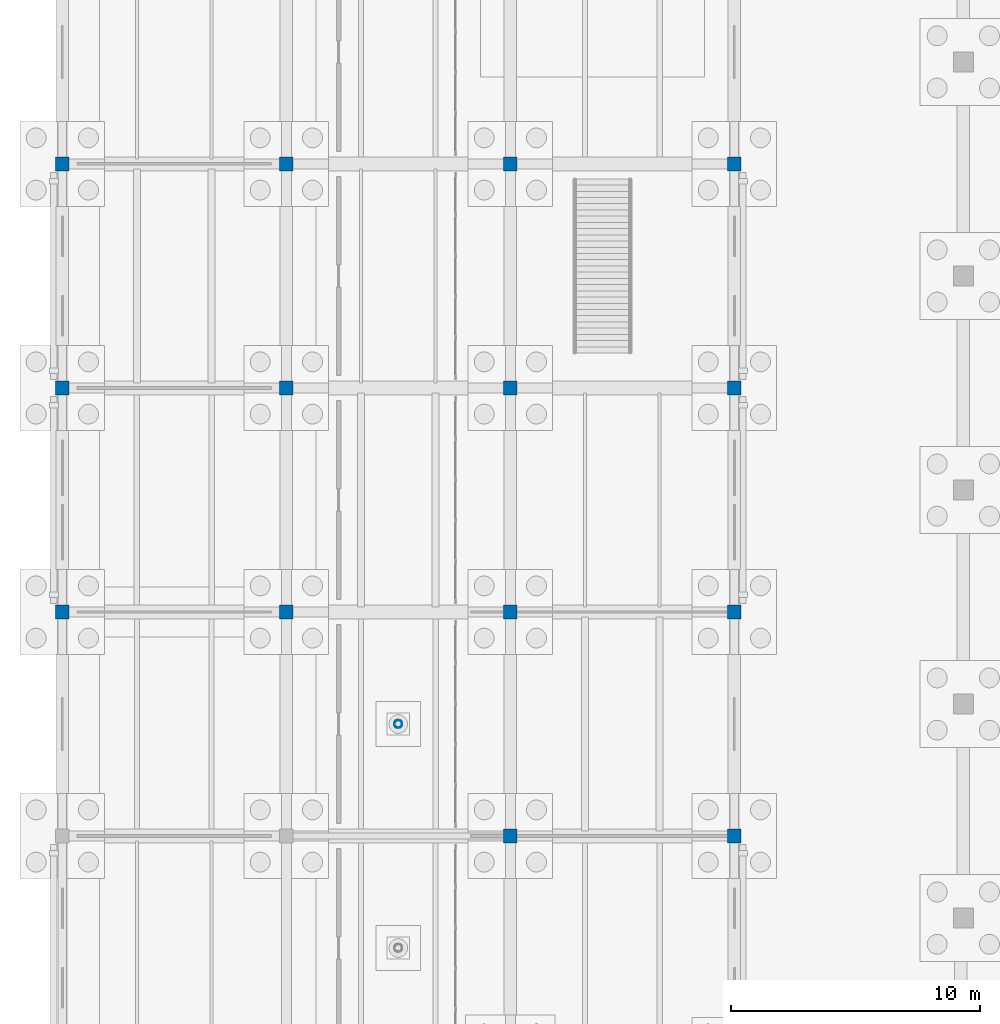
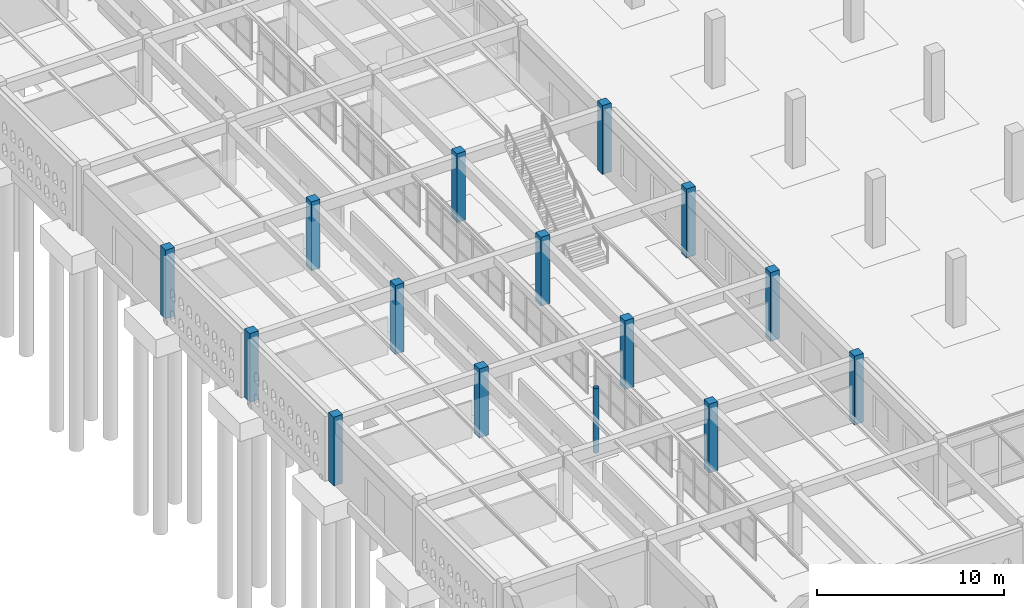
# One storey, part 9 of 186: 15 columns.
"""IFC4 building model written with IfcOpenShell, lengths in metres."""

from ifc_helpers import new_model, si_unit, direction, frame, origin, origin_2d, place, context, subcontext, project, spatial, rectangle, hollow_circle, extrude, material, material_profile, profile_set, type_object, element, save


model = new_model("IFC4")

# Units and contexts
model_context = context("Model", 3, precision=1e-05, world=origin(), true_north=direction((0.0, 1.0)))
body_context = subcontext(model_context, "Body", "Model", "MODEL_VIEW")
ifc_project = project(units=[si_unit("LENGTHUNIT", "METRE"), si_unit("AREAUNIT", "SQUARE_METRE"), si_unit("VOLUMEUNIT", "CUBIC_METRE"), si_unit("PLANEANGLEUNIT", "RADIAN"), si_unit("MASSUNIT", "GRAM", prefix="KILO")], contexts=[model_context])

# Site, building, storey
site_placement = place(None, origin())
site = spatial("IfcSite", under=ifc_project, at=site_placement, CompositionType="ELEMENT")
building_placement = place(site_placement, origin())
building = spatial("IfcBuilding", under=site, at=building_placement, Name="Ornek Quay Market", CompositionType="ELEMENT")
storey_placement = place(building_placement, origin())
storey = spatial("IfcBuildingStorey", under=building, at=storey_placement, Name="L00", CompositionType="ELEMENT", Elevation=0.0)

# Columns
ifc_material_1 = material(Name="Steel S355", Category="steel")
ifc_material_profile_1 = material_profile(ifc_material_1, hollow_circle(Radius=0.161865234375, WallThickness=0.012451171875, at=origin_2d()), Name="CHS 323.9x12.5", Category="steel")
ifc_profile_set_1 = profile_set([ifc_material_profile_1], Name="Steel S355")
column_type_1 = type_object("IfcColumnType", Name="COL-PORCH-CHS323", PredefinedType="PILASTER", material=ifc_profile_set_1)
column_placement = place(storey_placement, frame((13.5, 42.5, 0.0), z_axis=(0.0, 0.0, 1.0), x_axis=(1.0, 0.0, 0.0)))
element("IfcColumn", 1, at=column_placement, inside=storey, type_object=column_type_1, Name="Pavilion column CK-05", PredefinedType="PILASTER", context=body_context, shape_type="SweptSolid", body=[
    extrude(hollow_circle(Radius=0.161865234375, WallThickness=0.012451171875, at=origin_2d()), origin(), (0.0, 0.0, 1.0), 4.219970703125),
])
ifc_material_2 = material(Name="Concrete C40/50", Category="concrete")
ifc_material_profile_2 = material_profile(ifc_material_2, rectangle(XDim=0.550048828125, YDim=0.550048828125, at=origin_2d()), Name="RC 550x550", Category="concrete")
ifc_profile_set_2 = profile_set([ifc_material_profile_2], Name="Concrete C40/50")
column_type_2 = type_object("IfcColumnType", Name="COL-RC-550x550", PredefinedType="COLUMN", material=ifc_profile_set_2)
for number, where, z_axis, x_axis, name in (
    (2, (0.0, 47.0, 0.0), (0.0, 0.0, 1.0), (1.0, 0.0, 0.0), "Column C-55-004"),
    (3, (0.0, 56.0, 0.0), (0.0, 0.0, 1.0), (1.0, 0.0, 0.0), "Column C-55-005"),
    (4, (0.0, 65.0, 0.0), (0.0, 0.0, 1.0), (1.0, 0.0, 0.0), "Column C-55-006"),
    (5, (9.0, 47.0, 0.0), (0.0, 0.0, 1.0), (1.0, 0.0, 0.0), "Column C-55-015"),
    (6, (9.0, 56.0, 0.0), (0.0, 0.0, 1.0), (1.0, 0.0, 0.0), "Column C-55-016"),
    (7, (9.0, 65.0, 0.0), (0.0, 0.0, 1.0), (1.0, 0.0, 0.0), "Column C-55-017"),
    (8, (18.0, 38.0, 0.0), (0.0, 0.0, 1.0), (1.0, 0.0, 0.0), "Column C-55-025"),
    (9, (18.0, 47.0, 0.0), (0.0, 0.0, 1.0), (1.0, 0.0, 0.0), "Column C-55-026"),
    (10, (18.0, 56.0, 0.0), (0.0, 0.0, 1.0), (1.0, 0.0, 0.0), "Column C-55-027"),
    (11, (18.0, 65.0, 0.0), (0.0, 0.0, 1.0), (1.0, 0.0, 0.0), "Column C-55-028"),
    (12, (27.0, 38.0, 0.0), (0.0, 0.0, 1.0), (1.0, 0.0, 0.0), "Column C-55-036"),
    (13, (27.0, 47.0, 0.0), (0.0, 0.0, 1.0), (1.0, 0.0, 0.0), "Column C-55-037"),
    (14, (27.0, 56.0, 0.0), (0.0, 0.0, 1.0), (1.0, 0.0, 0.0), "Column C-55-038"),
    (15, (27.0, 65.0, 0.0), (0.0, 0.0, 1.0), (1.0, 0.0, 0.0), "Column C-55-039"),
):
    element("IfcColumn", number, at=place(storey_placement, frame(where, z_axis=z_axis, x_axis=x_axis)), inside=storey, type_object=column_type_2, Name=name, PredefinedType="COLUMN", context=body_context, shape_type="SweptSolid", body=[
        extrude(rectangle(XDim=0.550048828125, YDim=0.550048828125, at=origin_2d()), origin(), (0.0, 0.0, 1.0), 4.5),
    ])

save(model, "model.ifc")
